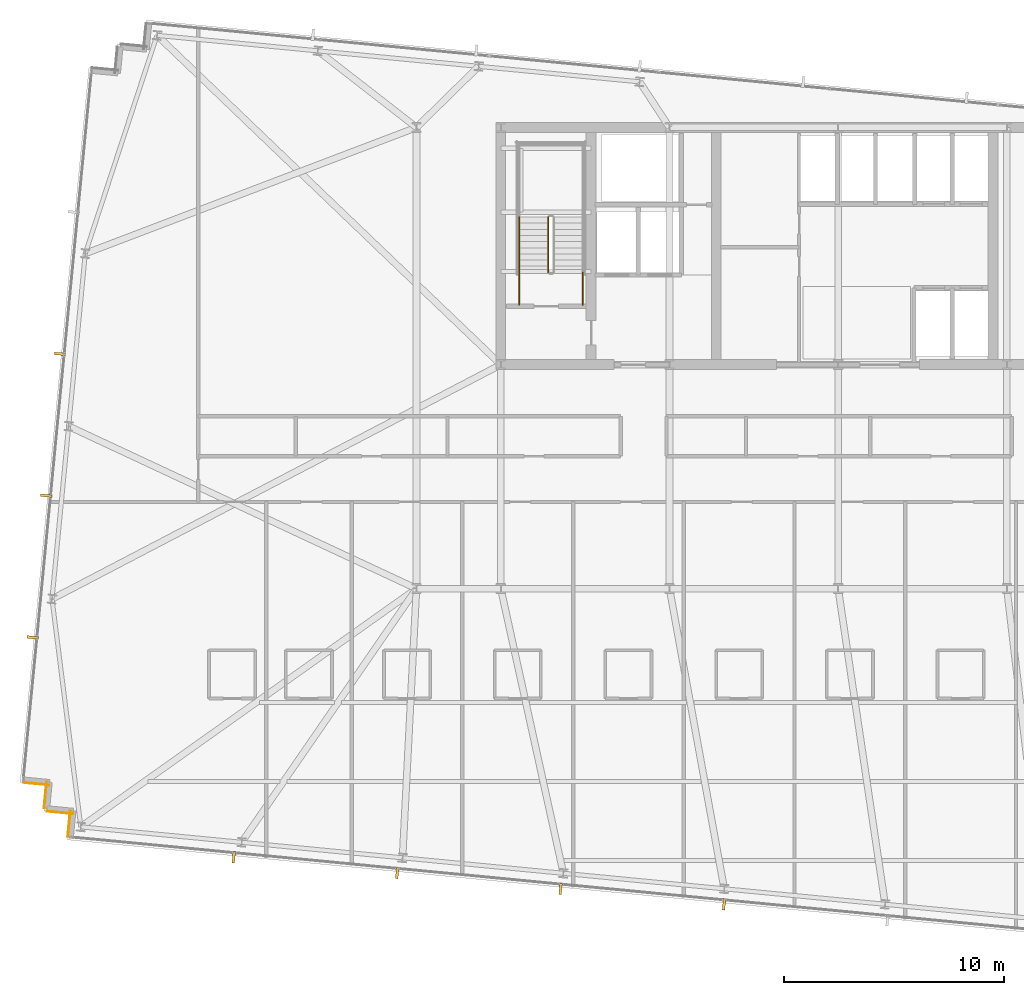
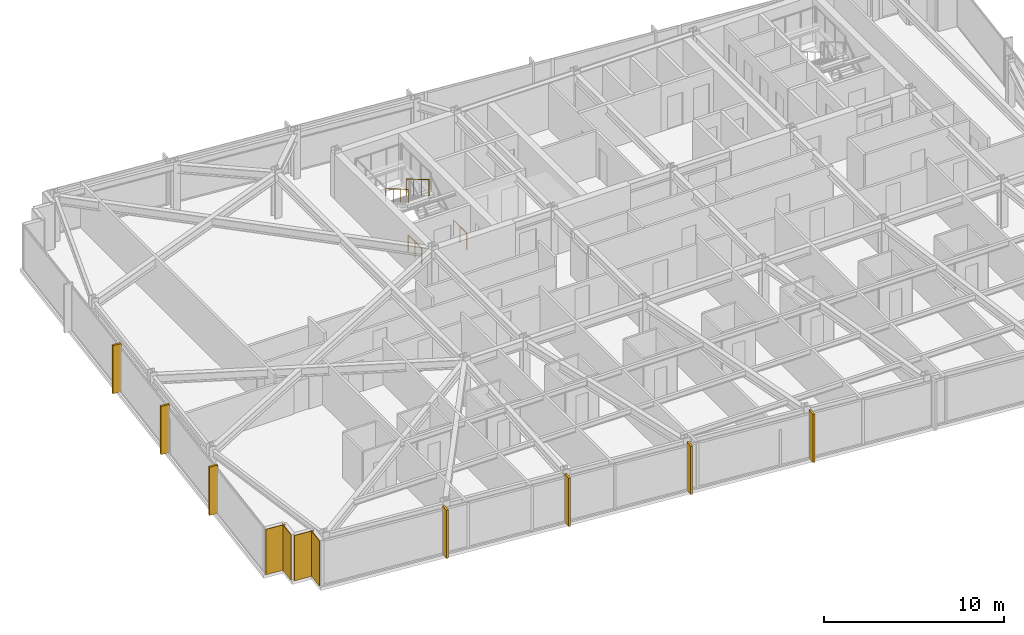
# One storey, part 33 of 38: 7 shading devices, 4 coverings, 4 railings.
"""IFC4 building model written with IfcOpenShell, lengths in metres."""

from ifc_helpers import new_model, si_unit, direction, frame, frame_2d, origin, origin_2d, place, context, subcontext, project, spatial, rectangle, circle, extrude, material, layer, layer_set, type_object, element, save


model = new_model("IFC4")

# Units and contexts
model_context = context("Model", 3, precision=1e-05, world=origin(), true_north=direction((0.0, 1.0)))
body_context = subcontext(model_context, "Body", "Model", "MODEL_VIEW")
ifc_project = project(units=[si_unit("LENGTHUNIT", "METRE"), si_unit("AREAUNIT", "SQUARE_METRE"), si_unit("VOLUMEUNIT", "CUBIC_METRE"), si_unit("PLANEANGLEUNIT", "RADIAN"), si_unit("MASSUNIT", "GRAM", prefix="KILO")], contexts=[model_context])

# Site, building, storey
site_placement = place(None, origin())
site = spatial("IfcSite", under=ifc_project, at=site_placement, CompositionType="ELEMENT")
building_placement = place(site_placement, origin())
building = spatial("IfcBuilding", under=site, at=building_placement, Name="Yelkora Congress Tower", CompositionType="ELEMENT")
storey_placement = place(building_placement, frame((0.0, 0.0, 178.699951171875)))
storey = spatial("IfcBuildingStorey", under=building, at=storey_placement, Name="L49", CompositionType="ELEMENT", Elevation=178.699951171875)

# Coverings
ifc_material_1 = material(Name="Anatolian bush-hammered limestone", Category="masonry")
ifc_layer_1 = layer(ifc_material_1, 0.0400390625)
ifc_layer_set_1 = layer_set([ifc_layer_1], Name="Anatolian bush-hammered limestone")
covering_type = type_object("IfcCoveringType", Name="COV-CLAD-SPANDREL-40", PredefinedType="CLADDING", material=ifc_layer_set_1)
covering_1_placement = place(storey_placement, frame((3.327880859375, 13.90185546875, 0.0), z_axis=(0.0, 0.0, 1.0), x_axis=(0.095817067274, 0.995398960025, 0.0)))
element("IfcCovering", 1, at=covering_1_placement, inside=storey, type_object=covering_type, Name="L49 Anatolian Limestone Cladding EW-L49-SR01", PredefinedType="CLADDING", context=body_context, shape_type="SweptSolid", body=[
    extrude(rectangle(XDim=1.2001953125, YDim=0.0400390625, at=frame_2d((0.60009765625, 0.0))), origin(), (0.0, 0.0, 1.0), 3.080078125),
])
covering_2_placement = place(storey_placement, frame((3.564208984375, 14.94921875, 0.0), z_axis=(0.0, 0.0, 1.0), x_axis=(-0.995397091755, 0.095836473879, 0.0)))
element("IfcCovering", 2, at=covering_2_placement, inside=storey, type_object=covering_type, Name="L49 Anatolian Limestone Cladding EW-L49-SR02", PredefinedType="CLADDING", context=body_context, shape_type="SweptSolid", body=[
    extrude(rectangle(XDim=1.199951171875, YDim=0.0400390625, at=frame_2d((0.60009765625, 0.0))), origin(), (0.0, 0.0, 1.0), 3.080078125),
])
for number, where, z_axis, x_axis, name in (
    (3, (2.248291015625, 15.21142578125, 0.0), (0.0, 0.0, 1.0), (0.095817067274, 0.995398960025, 0.0), "L49 Anatolian Limestone Cladding EW-L49-SR03"),
    (4, (2.48486328125, 16.258544921875, 0.0), (0.0, 0.0, 1.0), (-0.995398960025, 0.095817067274, 0.0), "L49 Anatolian Limestone Cladding EW-L49-SR04"),
):
    element("IfcCovering", number, at=place(storey_placement, frame(where, z_axis=z_axis, x_axis=x_axis)), inside=storey, type_object=covering_type, Name=name, PredefinedType="CLADDING", context=body_context, shape_type="SweptSolid", body=[
        extrude(rectangle(XDim=1.2001953125, YDim=0.0400390625, at=frame_2d((0.60009765625, 0.0))), origin(), (0.0, 0.0, 1.0), 3.080078125),
    ])

# Railings
ifc_material_2 = material(Name="Painted galvanised steel stair well guard with vertical infill", Category="steel")
ifc_layer_2 = layer(ifc_material_2, 0.06005859375)
ifc_layer_set_2 = layer_set([ifc_layer_2], Name="Painted galvanised steel stair well guard with vertical infill")
railing_type_1 = type_object("IfcRailingType", Name="RAIL-STAIR-GUARD-1120", PredefinedType="GUARDRAIL", material=ifc_layer_set_2)
railing_1_placement = place(storey_placement, frame((25.18994140625, 42.1201171875, 1.81494140625)))
element("IfcRailing", 5, at=railing_1_placement, inside=storey, type_object=railing_type_1, Name="ST-01 L49 Stair Well Guardrail 6", PredefinedType="GUARDRAIL", context=body_context, shape_type="SweptSolid", body=[
    extrude(circle(Radius=0.02392578125, at=origin_2d()), frame((0.0, 0.0, 1.09619140625), z_axis=(0.0, -0.86152411907, 0.507716645641), x_axis=(1.0, 0.0, 0.0)), (0.0, 0.0, 1.0), 2.925048828125),
    extrude(circle(Radius=0.02099609375, at=origin_2d()), origin(), (0.0, 0.0, 1.0), 1.072021484375),
    extrude(circle(Radius=0.02099609375, at=origin_2d()), frame((0.0, -0.840087890625, 0.4951171875)), (0.0, 0.0, 1.0), 1.072021484375),
    extrude(circle(Radius=0.02099609375, at=origin_2d()), frame((0.0, -1.679931640625, 0.989990234375)), (0.0, 0.0, 1.0), 1.072021484375),
    extrude(circle(Radius=0.02099609375, at=origin_2d()), frame((0.0, -2.52001953125, 1.485107421875)), (0.0, 0.0, 1.0), 1.072021484375),
])
for number, where, name in (
    (6, (26.77001953125, 38.1201171875, 0.0), "ST-01 L49 Stair Well Guardrail 8"),
    (7, (23.8701171875, 38.1201171875, 0.0), "ST-01 L49 Stair Well Guardrail 9"),
):
    element("IfcRailing", number, at=place(storey_placement, frame(where)), inside=storey, type_object=railing_type_1, Name=name, PredefinedType="GUARDRAIL", context=body_context, shape_type="SweptSolid", body=[
        extrude(circle(Radius=0.02392578125, at=origin_2d()), frame((0.0, 0.0, 1.09619140625), z_axis=(0.0, 1.0, 0.0), x_axis=(-1.0, 0.0, 0.0)), (0.0, 0.0, 1.0), 1.47998046875),
        extrude(circle(Radius=0.02099609375, at=origin_2d()), origin(), (0.0, 0.0, 1.0), 1.072021484375),
        extrude(circle(Radius=0.02099609375, at=origin_2d()), frame((0.0, 0.739990234375, 0.0)), (0.0, 0.0, 1.0), 1.072021484375),
        extrude(circle(Radius=0.02099609375, at=origin_2d()), frame((0.0, 1.47998046875, 0.0)), (0.0, 0.0, 1.0), 1.072021484375),
    ])
ifc_material_3 = material(Name="Brushed stainless steel tubular handrail", Category="steel")
ifc_layer_3 = layer(ifc_material_3, 0.050048828125)
ifc_layer_set_3 = layer_set([ifc_layer_3], Name="Brushed stainless steel tubular handrail")
railing_type_2 = type_object("IfcRailingType", Name="RAIL-STAIR-HAND-920", PredefinedType="HANDRAIL", material=ifc_layer_set_3)
railing_2_placement = place(storey_placement, frame((23.8701171875, 42.1201171875, 1.81494140625)))
element("IfcRailing", 8, at=railing_2_placement, inside=storey, type_object=railing_type_2, Name="ST-01 L49 Pitch Handrail 2", PredefinedType="HANDRAIL", context=body_context, shape_type="SweptSolid", body=[
    extrude(circle(Radius=0.02392578125, at=origin_2d()), frame((0.0, 0.0, 0.89599609375), z_axis=(0.0, -0.86152411907, 0.507716645641), x_axis=(1.0, 0.0, 0.0)), (0.0, 0.0, 1.0), 2.925048828125),
    extrude(circle(Radius=0.02099609375, at=origin_2d()), origin(), (0.0, 0.0, 1.0), 0.871826171875),
    extrude(circle(Radius=0.02099609375, at=origin_2d()), frame((0.0, -0.840087890625, 0.4951171875)), (0.0, 0.0, 1.0), 0.871826171875),
    extrude(circle(Radius=0.02099609375, at=origin_2d()), frame((0.0, -1.679931640625, 0.989990234375)), (0.0, 0.0, 1.0), 0.871826171875),
    extrude(circle(Radius=0.02099609375, at=origin_2d()), frame((0.0, -2.52001953125, 1.485107421875)), (0.0, 0.0, 1.0), 0.871826171875),
])

# Shading devices
ifc_material_4 = material(Name="Champagne anodised aluminium", Category="aluminium")
ifc_layer_4 = layer(ifc_material_4, 3.300048828125)
ifc_layer_set_4 = layer_set([ifc_layer_4], Name="Champagne anodised aluminium")
shading_device_type = type_object("IfcShadingDeviceType", Name="SHD-FIN-ALU-520", PredefinedType="USERDEFINED", material=ifc_layer_set_4)
for number, where, z_axis, x_axis, name in (
    (9, (1.7255859375, 22.981201171875, -0.02978515625), (0.0, 0.0, 1.0), (0.09584575252, 0.995396198367, 0.0), "L49 Vertical Anodised Solar Fin 5-1"),
    (10, (2.34716796875, 29.435302734375, -0.02978515625), (0.0, 0.0, 1.0), (0.09584575252, 0.995396198367, 0.0), "L49 Vertical Anodised Solar Fin 5-2"),
    (11, (2.968505859375, 35.889404296875, -0.02978515625), (0.0, 0.0, 1.0), (0.09584575252, 0.995396198367, 0.0), "L49 Vertical Anodised Solar Fin 5-3"),
    (12, (33.202392578125, 10.82421875, -0.02978515625), (0.0, 0.0, 1.0), (-0.995396198367, 0.09584575252, 0.0), "L49 Vertical Anodised Solar Fin 20-3"),
    (13, (25.7626953125, 11.540771484375, -0.02978515625), (0.0, 0.0, 1.0), (-0.995396198367, 0.09584575252, 0.0), "L49 Vertical Anodised Solar Fin 20-4"),
    (14, (18.32275390625, 12.257080078125, -0.02978515625), (0.0, 0.0, 1.0), (-0.995396198367, 0.09584575252, 0.0), "L49 Vertical Anodised Solar Fin 20-5"),
    (15, (10.8828125, 12.973388671875, -0.02978515625), (0.0, 0.0, 1.0), (-0.995396198367, 0.09584575252, 0.0), "L49 Vertical Anodised Solar Fin 20-6"),
):
    element("IfcShadingDevice", number, at=place(storey_placement, frame(where, z_axis=z_axis, x_axis=x_axis)), inside=storey, type_object=shading_device_type, Name=name, ObjectType="FIN", PredefinedType="USERDEFINED", context=body_context, shape_type="SweptSolid", body=[
        extrude(rectangle(XDim=0.1201171875, YDim=0.52001953125, at=origin_2d()), origin(), (0.0, 0.0, 1.0), 3.280029296875),
    ])

save(model, "model.ifc")
